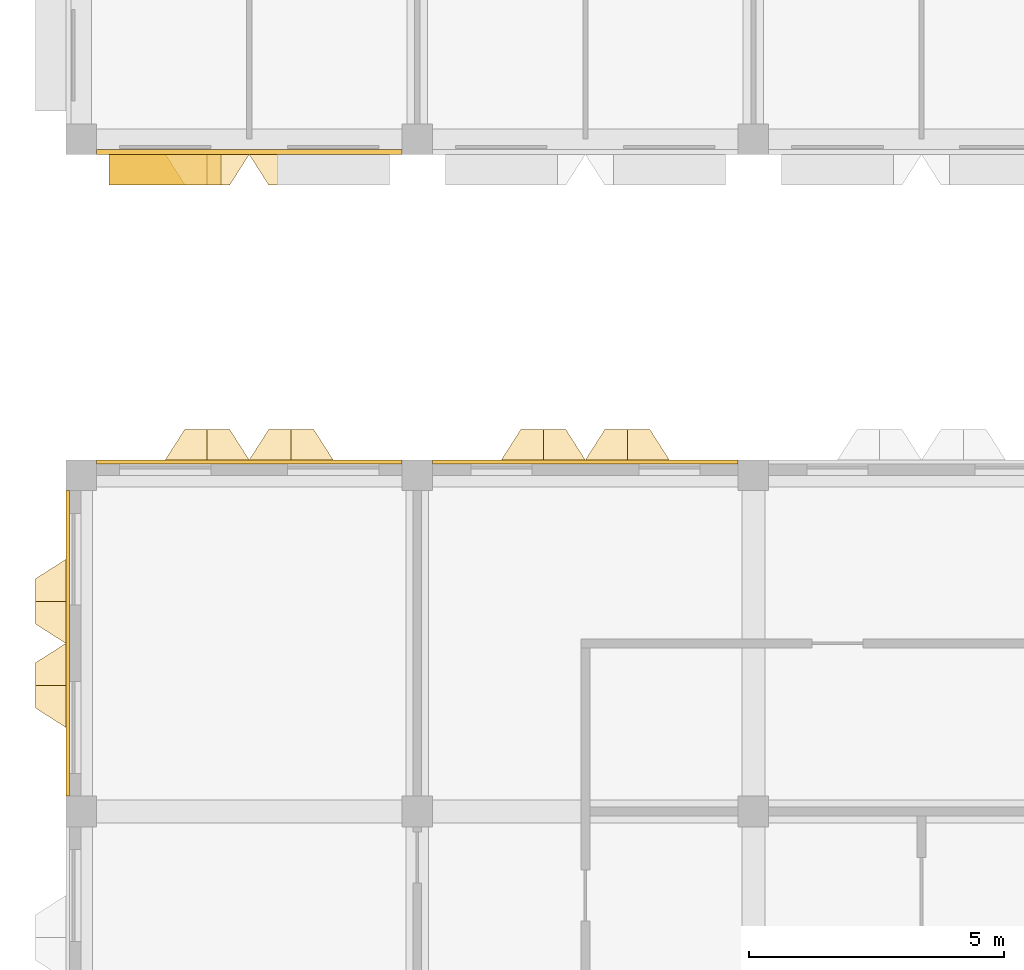
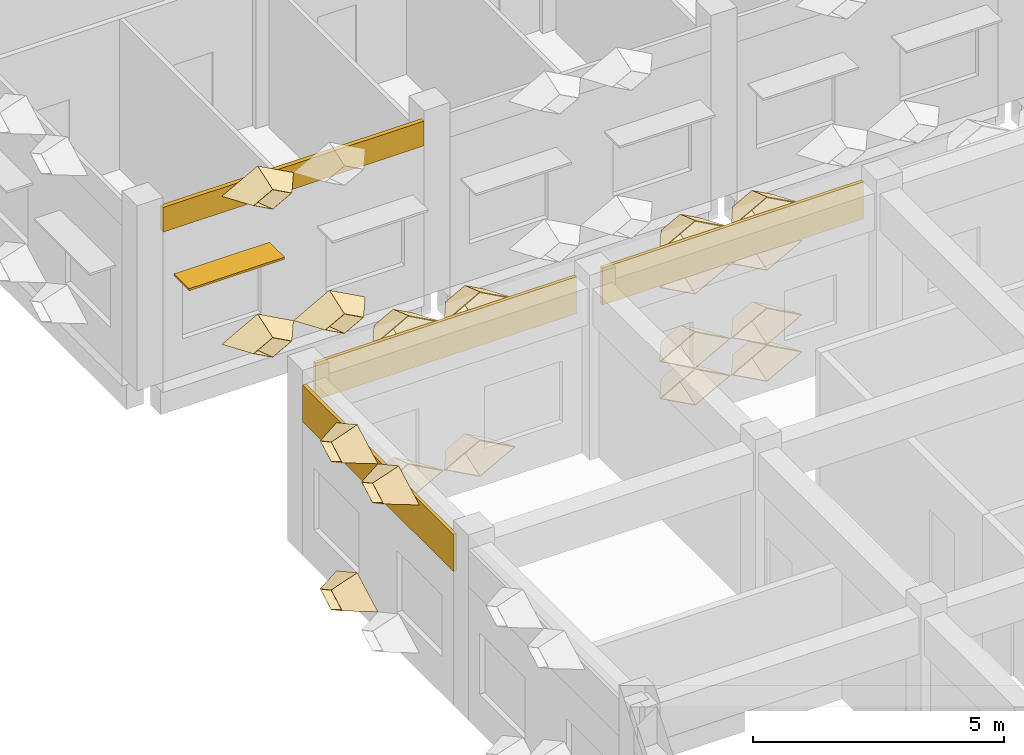
# One storey, part 68 of 87: 22 coverings, 1 shading device.
"""IFC4 building model written with IfcOpenShell, lengths in metres."""

from ifc_helpers import new_model, entity, si_unit, direction, frame, frame_2d, origin, origin_2d, place, context, subcontext, project, spatial, rectangle, extrude, material, layer, layer_set, type_object, element, save


model = new_model("IFC4")

# Units and contexts
model_context = context("Model", 3, precision=1e-05, world=origin(), true_north=direction((0.0, 1.0)))
body_context = subcontext(model_context, "Body", "Model", "MODEL_VIEW")
ifc_project = project(units=[si_unit("LENGTHUNIT", "METRE"), si_unit("AREAUNIT", "SQUARE_METRE"), si_unit("VOLUMEUNIT", "CUBIC_METRE"), si_unit("PLANEANGLEUNIT", "RADIAN"), si_unit("MASSUNIT", "GRAM", prefix="KILO")], contexts=[model_context])

# Site, building, storey
site_placement = place(None, origin())
site = spatial("IfcSite", under=ifc_project, at=site_placement, CompositionType="ELEMENT")
building_placement = place(site_placement, origin())
building = spatial("IfcBuilding", under=site, at=building_placement, Name="Lantern Court Research Institute", CompositionType="ELEMENT")
storey_placement = place(building_placement, frame((0.0, 0.0, 5.39990234375)))
storey = spatial("IfcBuildingStorey", under=building, at=storey_placement, Name="L01", CompositionType="ELEMENT", Elevation=5.39990234375)

# Shading device
ifc_material_1 = material(Name="Aluminium alloy 6063-T6", Category="aluminium")
ifc_layer_1 = layer(ifc_material_1, 0.050048828125)
ifc_layer_set_1 = layer_set([ifc_layer_1], Name="Aluminium alloy 6063-T6")
shading_device_type = type_object("IfcShadingDeviceType", Name="Brise-soleil blade 2200 x 600 x 50 aluminium", PredefinedType="USERDEFINED", material=ifc_layer_set_1)
shading_device_placement = place(storey_placement, frame((1.64990234375, 81.89990234375, 2.5), z_axis=(0.0, 0.0, 1.0), x_axis=(-1.0, 0.0, 0.0)))
element("IfcShadingDevice", 1, at=shading_device_placement, inside=storey, type_object=shading_device_type, Name="Brise-soleil blade L01 S", ObjectType="LOUVRE", PredefinedType="USERDEFINED", context=body_context, shape_type="SweptSolid", body=[
    extrude(rectangle(XDim=2.199951171875, YDim=0.60009765625, at=origin_2d()), origin(), (0.0, 0.0, 1.0), 0.050048828125),
])

# Coverings
ifc_material_2 = material(Name="Aluminium composite panel with mineral wool insulation", Category="aluminium")
ifc_layer_2 = layer(ifc_material_2, 0.10009765625)
ifc_layer_set_2 = layer_set([ifc_layer_2], Name="Aluminium composite panel with mineral wool insulation")
covering_type_1 = type_object("IfcCoveringType", Name="Edge fascia panel 100 aluminium faced", PredefinedType="CLADDING", material=ifc_layer_set_2)
covering_1_placement = place(storey_placement, frame((6.300048828125, 82.25, 3.650146484375), z_axis=(0.0, 0.0, 1.0), x_axis=(-1.0, 0.0, 0.0)))
element("IfcCovering", 2, at=covering_1_placement, inside=storey, type_object=covering_type_1, Name="Edge fascia V6S L01 01", PredefinedType="CLADDING", context=body_context, shape_type="SweptSolid", body=[
    extrude(rectangle(XDim=6.0, YDim=0.10009765625, at=frame_2d((3.0, 0.0))), origin(), (0.0, 0.0, 1.0), 0.599853515625),
])
ifc_material_3 = material(Name="Aluminium composite panel with mineral wool insulation", Category="aluminium")
ifc_layer_3 = layer(ifc_material_3, 0.074951171875)
ifc_layer_set_3 = layer_set([ifc_layer_3], Name="Aluminium composite panel with mineral wool insulation")
covering_type_2 = type_object("IfcCoveringType", Name="Edge fascia panel 75 aluminium faced", PredefinedType="CLADDING", material=ifc_layer_set_3)
for number, where, z_axis, x_axis, name in (
    (3, (0.300048828125, 76.16259765625, 3.25), (0.0, 0.0, 1.0), (1.0, 0.0, 0.0), "Edge fascia V3N L01 01"),
    (4, (6.89990234375, 76.16259765625, 3.25), (0.0, 0.0, 1.0), (1.0, 0.0, 0.0), "Edge fascia V3N L01 02"),
    (5, (-0.262451171875, 69.60009765625, 3.25), (0.0, 0.0, 1.0), (0.0, 1.0, 0.0), "Edge fascia V3W L01 03"),
):
    element("IfcCovering", number, at=place(storey_placement, frame(where, z_axis=z_axis, x_axis=x_axis)), inside=storey, type_object=covering_type_2, Name=name, PredefinedType="CLADDING", context=body_context, shape_type="SweptSolid", body=[
        extrude(rectangle(XDim=6.0, YDim=0.074951171875, at=frame_2d((3.0, 0.0))), origin(), (0.0, 0.0, 1.0), 0.900146484375),
    ])
ifc_material_4 = material(Name="Anodised aluminium", Category="aluminium")
ifc_layer_4 = layer(ifc_material_4, 0.01611328125)
ifc_layer_set_4 = layer_set([ifc_layer_4], Name="Anodised aluminium")
covering_type_3 = type_object("IfcCoveringType", Name="Fin cassette 1650 x 900 x 600 aluminium", PredefinedType="CLADDING", material=ifc_layer_set_4)
covering_2_placement = place(storey_placement, frame((2.47509765625, 76.199951171875, 0.4501953125), z_axis=(0.0, 1.0, 0.0), x_axis=(-1.0, 0.0, 0.0)))
cartesian_point_1 = entity("IfcCartesianPoint", [0.824951171875, 0.0])
cartesian_point_2 = entity("IfcCartesianPoint", [0.79150390625, 0.0])
cartesian_point_3 = entity("IfcCartesianPoint", [0.44189453125, 0.0])
cartesian_point_4 = entity("IfcCartesianPoint", [0.43359375, 0.0])
element("IfcCovering", 6, at=covering_2_placement, inside=storey, type_object=covering_type_3, Name="Fin cassette V3N-L01 1.2", PredefinedType="CLADDING", context=body_context, shape_type="SweptSolid", body=[
    entity("IfcExtrudedAreaSolidTapered", entity("IfcArbitraryProfileDefWithVoids", "AREA", None, entity("IfcPolyline", [cartesian_point_1, entity("IfcCartesianPoint", [0.0, 0.449951171875]), entity("IfcCartesianPoint", [-0.824951171875, 0.0]), entity("IfcCartesianPoint", [0.0, -0.449951171875]), cartesian_point_1]), [entity("IfcPolyline", [cartesian_point_2, entity("IfcCartesianPoint", [0.0, 0.431884765625]), entity("IfcCartesianPoint", [-0.79150390625, 0.0]), entity("IfcCartesianPoint", [0.0, -0.431884765625]), cartesian_point_2])]), entity("IfcAxis2Placement3D", entity("IfcCartesianPoint", [0.0, 0.0, 0.0])), entity("IfcDirection", [0.0, 0.0, 1.0]), 0.60009765625, entity("IfcArbitraryProfileDefWithVoids", "AREA", None, entity("IfcPolyline", [cartesian_point_3, entity("IfcCartesianPoint", [0.0, 0.240966796875]), entity("IfcCartesianPoint", [-0.44189453125, 0.0]), entity("IfcCartesianPoint", [0.0, -0.240966796875]), cartesian_point_3]), [entity("IfcPolyline", [cartesian_point_4, entity("IfcCartesianPoint", [0.0, 0.236572265625]), entity("IfcCartesianPoint", [-0.43359375, 0.0]), entity("IfcCartesianPoint", [0.0, -0.236572265625]), cartesian_point_4])])),
])
covering_3_placement = place(storey_placement, frame((4.125, 76.199951171875, 0.4501953125), z_axis=(0.0, 1.0, 0.0), x_axis=(-1.0, 0.0, 0.0)))
cartesian_point_5 = entity("IfcCartesianPoint", [0.824951171875, 0.0])
cartesian_point_6 = entity("IfcCartesianPoint", [0.79150390625, 0.0])
cartesian_point_7 = entity("IfcCartesianPoint", [0.44189453125, 0.0])
cartesian_point_8 = entity("IfcCartesianPoint", [0.43359375, 0.0])
element("IfcCovering", 7, at=covering_3_placement, inside=storey, type_object=covering_type_3, Name="Fin cassette V3N-L01 1.3", PredefinedType="CLADDING", context=body_context, shape_type="SweptSolid", body=[
    entity("IfcExtrudedAreaSolidTapered", entity("IfcArbitraryProfileDefWithVoids", "AREA", None, entity("IfcPolyline", [cartesian_point_5, entity("IfcCartesianPoint", [0.0, 0.449951171875]), entity("IfcCartesianPoint", [-0.824951171875, 0.0]), entity("IfcCartesianPoint", [0.0, -0.449951171875]), cartesian_point_5]), [entity("IfcPolyline", [cartesian_point_6, entity("IfcCartesianPoint", [0.0, 0.431884765625]), entity("IfcCartesianPoint", [-0.79150390625, 0.0]), entity("IfcCartesianPoint", [0.0, -0.431884765625]), cartesian_point_6])]), entity("IfcAxis2Placement3D", entity("IfcCartesianPoint", [0.0, 0.0, 0.0])), entity("IfcDirection", [0.0, 0.0, 1.0]), 0.60009765625, entity("IfcArbitraryProfileDefWithVoids", "AREA", None, entity("IfcPolyline", [cartesian_point_7, entity("IfcCartesianPoint", [0.0, 0.240966796875]), entity("IfcCartesianPoint", [-0.44189453125, 0.0]), entity("IfcCartesianPoint", [0.0, -0.240966796875]), cartesian_point_7]), [entity("IfcPolyline", [cartesian_point_8, entity("IfcCartesianPoint", [0.0, 0.236572265625]), entity("IfcCartesianPoint", [-0.43359375, 0.0]), entity("IfcCartesianPoint", [0.0, -0.236572265625]), cartesian_point_8])])),
])
covering_4_placement = place(storey_placement, frame((9.074951171875, 76.199951171875, 0.4501953125), z_axis=(0.0, 1.0, 0.0), x_axis=(-1.0, 0.0, 0.0)))
cartesian_point_9 = entity("IfcCartesianPoint", [0.824951171875, 0.0])
cartesian_point_10 = entity("IfcCartesianPoint", [0.79150390625, 0.0])
cartesian_point_11 = entity("IfcCartesianPoint", [0.44189453125, 0.0])
cartesian_point_12 = entity("IfcCartesianPoint", [0.43359375, 0.0])
element("IfcCovering", 8, at=covering_4_placement, inside=storey, type_object=covering_type_3, Name="Fin cassette V3N-L01 1.6", PredefinedType="CLADDING", context=body_context, shape_type="SweptSolid", body=[
    entity("IfcExtrudedAreaSolidTapered", entity("IfcArbitraryProfileDefWithVoids", "AREA", None, entity("IfcPolyline", [cartesian_point_9, entity("IfcCartesianPoint", [0.0, 0.449951171875]), entity("IfcCartesianPoint", [-0.824951171875, 0.0]), entity("IfcCartesianPoint", [0.0, -0.449951171875]), cartesian_point_9]), [entity("IfcPolyline", [cartesian_point_10, entity("IfcCartesianPoint", [0.0, 0.431884765625]), entity("IfcCartesianPoint", [-0.79150390625, 0.0]), entity("IfcCartesianPoint", [0.0, -0.431884765625]), cartesian_point_10])]), entity("IfcAxis2Placement3D", entity("IfcCartesianPoint", [0.0, 0.0, 0.0])), entity("IfcDirection", [0.0, 0.0, 1.0]), 0.60009765625, entity("IfcArbitraryProfileDefWithVoids", "AREA", None, entity("IfcPolyline", [cartesian_point_11, entity("IfcCartesianPoint", [0.0, 0.240966796875]), entity("IfcCartesianPoint", [-0.44189453125, 0.0]), entity("IfcCartesianPoint", [0.0, -0.240966796875]), cartesian_point_11]), [entity("IfcPolyline", [cartesian_point_12, entity("IfcCartesianPoint", [0.0, 0.236572265625]), entity("IfcCartesianPoint", [-0.43359375, 0.0]), entity("IfcCartesianPoint", [0.0, -0.236572265625]), cartesian_point_12])])),
])
covering_5_placement = place(storey_placement, frame((10.72509765625, 76.199951171875, 0.4501953125), z_axis=(0.0, 1.0, 0.0), x_axis=(-1.0, 0.0, 0.0)))
cartesian_point_13 = entity("IfcCartesianPoint", [0.824951171875, 0.0])
cartesian_point_14 = entity("IfcCartesianPoint", [0.79150390625, 0.0])
cartesian_point_15 = entity("IfcCartesianPoint", [0.44189453125, 0.0])
cartesian_point_16 = entity("IfcCartesianPoint", [0.43359375, 0.0])
element("IfcCovering", 9, at=covering_5_placement, inside=storey, type_object=covering_type_3, Name="Fin cassette V3N-L01 1.7", PredefinedType="CLADDING", context=body_context, shape_type="SweptSolid", body=[
    entity("IfcExtrudedAreaSolidTapered", entity("IfcArbitraryProfileDefWithVoids", "AREA", None, entity("IfcPolyline", [cartesian_point_13, entity("IfcCartesianPoint", [0.0, 0.449951171875]), entity("IfcCartesianPoint", [-0.824951171875, 0.0]), entity("IfcCartesianPoint", [0.0, -0.449951171875]), cartesian_point_13]), [entity("IfcPolyline", [cartesian_point_14, entity("IfcCartesianPoint", [0.0, 0.431884765625]), entity("IfcCartesianPoint", [-0.79150390625, 0.0]), entity("IfcCartesianPoint", [0.0, -0.431884765625]), cartesian_point_14])]), entity("IfcAxis2Placement3D", entity("IfcCartesianPoint", [0.0, 0.0, 0.0])), entity("IfcDirection", [0.0, 0.0, 1.0]), 0.60009765625, entity("IfcArbitraryProfileDefWithVoids", "AREA", None, entity("IfcPolyline", [cartesian_point_15, entity("IfcCartesianPoint", [0.0, 0.240966796875]), entity("IfcCartesianPoint", [-0.44189453125, 0.0]), entity("IfcCartesianPoint", [0.0, -0.240966796875]), cartesian_point_15]), [entity("IfcPolyline", [cartesian_point_16, entity("IfcCartesianPoint", [0.0, 0.236572265625]), entity("IfcCartesianPoint", [-0.43359375, 0.0]), entity("IfcCartesianPoint", [0.0, -0.236572265625]), cartesian_point_16])])),
])
covering_6_placement = place(storey_placement, frame((9.074951171875, 76.199951171875, 1.35009765625), z_axis=(0.0, 1.0, 0.0), x_axis=(-1.0, 0.0, 0.0)))
cartesian_point_17 = entity("IfcCartesianPoint", [0.824951171875, 0.0])
cartesian_point_18 = entity("IfcCartesianPoint", [0.79150390625, 0.0])
cartesian_point_19 = entity("IfcCartesianPoint", [0.44189453125, 0.0])
cartesian_point_20 = entity("IfcCartesianPoint", [0.43359375, 0.0])
element("IfcCovering", 10, at=covering_6_placement, inside=storey, type_object=covering_type_3, Name="Fin cassette V3N-L01 2.6", PredefinedType="CLADDING", context=body_context, shape_type="SweptSolid", body=[
    entity("IfcExtrudedAreaSolidTapered", entity("IfcArbitraryProfileDefWithVoids", "AREA", None, entity("IfcPolyline", [cartesian_point_17, entity("IfcCartesianPoint", [0.0, 0.449951171875]), entity("IfcCartesianPoint", [-0.824951171875, 0.0]), entity("IfcCartesianPoint", [0.0, -0.449951171875]), cartesian_point_17]), [entity("IfcPolyline", [cartesian_point_18, entity("IfcCartesianPoint", [0.0, 0.431884765625]), entity("IfcCartesianPoint", [-0.79150390625, 0.0]), entity("IfcCartesianPoint", [0.0, -0.431884765625]), cartesian_point_18])]), entity("IfcAxis2Placement3D", entity("IfcCartesianPoint", [0.0, 0.0, 0.0])), entity("IfcDirection", [0.0, 0.0, 1.0]), 0.60009765625, entity("IfcArbitraryProfileDefWithVoids", "AREA", None, entity("IfcPolyline", [cartesian_point_19, entity("IfcCartesianPoint", [0.0, 0.240966796875]), entity("IfcCartesianPoint", [-0.44189453125, 0.0]), entity("IfcCartesianPoint", [0.0, -0.240966796875]), cartesian_point_19]), [entity("IfcPolyline", [cartesian_point_20, entity("IfcCartesianPoint", [0.0, 0.236572265625]), entity("IfcCartesianPoint", [-0.43359375, 0.0]), entity("IfcCartesianPoint", [0.0, -0.236572265625]), cartesian_point_20])])),
])
covering_7_placement = place(storey_placement, frame((10.72509765625, 76.199951171875, 1.35009765625), z_axis=(0.0, 1.0, 0.0), x_axis=(-1.0, 0.0, 0.0)))
cartesian_point_21 = entity("IfcCartesianPoint", [0.824951171875, 0.0])
cartesian_point_22 = entity("IfcCartesianPoint", [0.79150390625, 0.0])
cartesian_point_23 = entity("IfcCartesianPoint", [0.44189453125, 0.0])
cartesian_point_24 = entity("IfcCartesianPoint", [0.43359375, 0.0])
element("IfcCovering", 11, at=covering_7_placement, inside=storey, type_object=covering_type_3, Name="Fin cassette V3N-L01 2.7", PredefinedType="CLADDING", context=body_context, shape_type="SweptSolid", body=[
    entity("IfcExtrudedAreaSolidTapered", entity("IfcArbitraryProfileDefWithVoids", "AREA", None, entity("IfcPolyline", [cartesian_point_21, entity("IfcCartesianPoint", [0.0, 0.449951171875]), entity("IfcCartesianPoint", [-0.824951171875, 0.0]), entity("IfcCartesianPoint", [0.0, -0.449951171875]), cartesian_point_21]), [entity("IfcPolyline", [cartesian_point_22, entity("IfcCartesianPoint", [0.0, 0.431884765625]), entity("IfcCartesianPoint", [-0.79150390625, 0.0]), entity("IfcCartesianPoint", [0.0, -0.431884765625]), cartesian_point_22])]), entity("IfcAxis2Placement3D", entity("IfcCartesianPoint", [0.0, 0.0, 0.0])), entity("IfcDirection", [0.0, 0.0, 1.0]), 0.60009765625, entity("IfcArbitraryProfileDefWithVoids", "AREA", None, entity("IfcPolyline", [cartesian_point_23, entity("IfcCartesianPoint", [0.0, 0.240966796875]), entity("IfcCartesianPoint", [-0.44189453125, 0.0]), entity("IfcCartesianPoint", [0.0, -0.240966796875]), cartesian_point_23]), [entity("IfcPolyline", [cartesian_point_24, entity("IfcCartesianPoint", [0.0, 0.236572265625]), entity("IfcCartesianPoint", [-0.43359375, 0.0]), entity("IfcCartesianPoint", [0.0, -0.236572265625]), cartesian_point_24])])),
])
covering_8_placement = place(storey_placement, frame((9.074951171875, 76.199951171875, 3.150146484375), z_axis=(0.0, 1.0, 0.0), x_axis=(-1.0, 0.0, 0.0)))
cartesian_point_25 = entity("IfcCartesianPoint", [0.824951171875, 0.0])
cartesian_point_26 = entity("IfcCartesianPoint", [0.79150390625, 0.0])
cartesian_point_27 = entity("IfcCartesianPoint", [0.44189453125, 0.0])
cartesian_point_28 = entity("IfcCartesianPoint", [0.43359375, 0.0])
element("IfcCovering", 12, at=covering_8_placement, inside=storey, type_object=covering_type_3, Name="Fin cassette V3N-L01 4.6", PredefinedType="CLADDING", context=body_context, shape_type="SweptSolid", body=[
    entity("IfcExtrudedAreaSolidTapered", entity("IfcArbitraryProfileDefWithVoids", "AREA", None, entity("IfcPolyline", [cartesian_point_25, entity("IfcCartesianPoint", [0.0, 0.449951171875]), entity("IfcCartesianPoint", [-0.824951171875, 0.0]), entity("IfcCartesianPoint", [0.0, -0.449951171875]), cartesian_point_25]), [entity("IfcPolyline", [cartesian_point_26, entity("IfcCartesianPoint", [0.0, 0.431884765625]), entity("IfcCartesianPoint", [-0.79150390625, 0.0]), entity("IfcCartesianPoint", [0.0, -0.431884765625]), cartesian_point_26])]), entity("IfcAxis2Placement3D", entity("IfcCartesianPoint", [0.0, 0.0, 0.0])), entity("IfcDirection", [0.0, 0.0, 1.0]), 0.60009765625, entity("IfcArbitraryProfileDefWithVoids", "AREA", None, entity("IfcPolyline", [cartesian_point_27, entity("IfcCartesianPoint", [0.0, 0.240966796875]), entity("IfcCartesianPoint", [-0.44189453125, 0.0]), entity("IfcCartesianPoint", [0.0, -0.240966796875]), cartesian_point_27]), [entity("IfcPolyline", [cartesian_point_28, entity("IfcCartesianPoint", [0.0, 0.236572265625]), entity("IfcCartesianPoint", [-0.43359375, 0.0]), entity("IfcCartesianPoint", [0.0, -0.236572265625]), cartesian_point_28])])),
])
covering_9_placement = place(storey_placement, frame((10.72509765625, 76.199951171875, 3.150146484375), z_axis=(0.0, 1.0, 0.0), x_axis=(-1.0, 0.0, 0.0)))
cartesian_point_29 = entity("IfcCartesianPoint", [0.824951171875, 0.0])
cartesian_point_30 = entity("IfcCartesianPoint", [0.79150390625, 0.0])
cartesian_point_31 = entity("IfcCartesianPoint", [0.44189453125, 0.0])
cartesian_point_32 = entity("IfcCartesianPoint", [0.43359375, 0.0])
element("IfcCovering", 13, at=covering_9_placement, inside=storey, type_object=covering_type_3, Name="Fin cassette V3N-L01 4.7", PredefinedType="CLADDING", context=body_context, shape_type="SweptSolid", body=[
    entity("IfcExtrudedAreaSolidTapered", entity("IfcArbitraryProfileDefWithVoids", "AREA", None, entity("IfcPolyline", [cartesian_point_29, entity("IfcCartesianPoint", [0.0, 0.449951171875]), entity("IfcCartesianPoint", [-0.824951171875, 0.0]), entity("IfcCartesianPoint", [0.0, -0.449951171875]), cartesian_point_29]), [entity("IfcPolyline", [cartesian_point_30, entity("IfcCartesianPoint", [0.0, 0.431884765625]), entity("IfcCartesianPoint", [-0.79150390625, 0.0]), entity("IfcCartesianPoint", [0.0, -0.431884765625]), cartesian_point_30])]), entity("IfcAxis2Placement3D", entity("IfcCartesianPoint", [0.0, 0.0, 0.0])), entity("IfcDirection", [0.0, 0.0, 1.0]), 0.60009765625, entity("IfcArbitraryProfileDefWithVoids", "AREA", None, entity("IfcPolyline", [cartesian_point_31, entity("IfcCartesianPoint", [0.0, 0.240966796875]), entity("IfcCartesianPoint", [-0.44189453125, 0.0]), entity("IfcCartesianPoint", [0.0, -0.240966796875]), cartesian_point_31]), [entity("IfcPolyline", [cartesian_point_32, entity("IfcCartesianPoint", [0.0, 0.236572265625]), entity("IfcCartesianPoint", [-0.43359375, 0.0]), entity("IfcCartesianPoint", [0.0, -0.236572265625]), cartesian_point_32])])),
])
covering_10_placement = place(storey_placement, frame((2.47509765625, 76.199951171875, 4.050048828125), z_axis=(0.0, 1.0, 0.0), x_axis=(-1.0, 0.0, 0.0)))
cartesian_point_33 = entity("IfcCartesianPoint", [0.824951171875, 0.0])
cartesian_point_34 = entity("IfcCartesianPoint", [0.79150390625, 0.0])
cartesian_point_35 = entity("IfcCartesianPoint", [0.44189453125, 0.0])
cartesian_point_36 = entity("IfcCartesianPoint", [0.43359375, 0.0])
element("IfcCovering", 14, at=covering_10_placement, inside=storey, type_object=covering_type_3, Name="Fin cassette V3N-L01 5.2", PredefinedType="CLADDING", context=body_context, shape_type="SweptSolid", body=[
    entity("IfcExtrudedAreaSolidTapered", entity("IfcArbitraryProfileDefWithVoids", "AREA", None, entity("IfcPolyline", [cartesian_point_33, entity("IfcCartesianPoint", [0.0, 0.449951171875]), entity("IfcCartesianPoint", [-0.824951171875, 0.0]), entity("IfcCartesianPoint", [0.0, -0.449951171875]), cartesian_point_33]), [entity("IfcPolyline", [cartesian_point_34, entity("IfcCartesianPoint", [0.0, 0.431884765625]), entity("IfcCartesianPoint", [-0.79150390625, 0.0]), entity("IfcCartesianPoint", [0.0, -0.431884765625]), cartesian_point_34])]), entity("IfcAxis2Placement3D", entity("IfcCartesianPoint", [0.0, 0.0, 0.0])), entity("IfcDirection", [0.0, 0.0, 1.0]), 0.60009765625, entity("IfcArbitraryProfileDefWithVoids", "AREA", None, entity("IfcPolyline", [cartesian_point_35, entity("IfcCartesianPoint", [0.0, 0.240966796875]), entity("IfcCartesianPoint", [-0.44189453125, 0.0]), entity("IfcCartesianPoint", [0.0, -0.240966796875]), cartesian_point_35]), [entity("IfcPolyline", [cartesian_point_36, entity("IfcCartesianPoint", [0.0, 0.236572265625]), entity("IfcCartesianPoint", [-0.43359375, 0.0]), entity("IfcCartesianPoint", [0.0, -0.236572265625]), cartesian_point_36])])),
])
covering_11_placement = place(storey_placement, frame((4.125, 76.199951171875, 4.050048828125), z_axis=(0.0, 1.0, 0.0), x_axis=(-1.0, 0.0, 0.0)))
cartesian_point_37 = entity("IfcCartesianPoint", [0.824951171875, 0.0])
cartesian_point_38 = entity("IfcCartesianPoint", [0.79150390625, 0.0])
cartesian_point_39 = entity("IfcCartesianPoint", [0.44189453125, 0.0])
cartesian_point_40 = entity("IfcCartesianPoint", [0.43359375, 0.0])
element("IfcCovering", 15, at=covering_11_placement, inside=storey, type_object=covering_type_3, Name="Fin cassette V3N-L01 5.3", PredefinedType="CLADDING", context=body_context, shape_type="SweptSolid", body=[
    entity("IfcExtrudedAreaSolidTapered", entity("IfcArbitraryProfileDefWithVoids", "AREA", None, entity("IfcPolyline", [cartesian_point_37, entity("IfcCartesianPoint", [0.0, 0.449951171875]), entity("IfcCartesianPoint", [-0.824951171875, 0.0]), entity("IfcCartesianPoint", [0.0, -0.449951171875]), cartesian_point_37]), [entity("IfcPolyline", [cartesian_point_38, entity("IfcCartesianPoint", [0.0, 0.431884765625]), entity("IfcCartesianPoint", [-0.79150390625, 0.0]), entity("IfcCartesianPoint", [0.0, -0.431884765625]), cartesian_point_38])]), entity("IfcAxis2Placement3D", entity("IfcCartesianPoint", [0.0, 0.0, 0.0])), entity("IfcDirection", [0.0, 0.0, 1.0]), 0.60009765625, entity("IfcArbitraryProfileDefWithVoids", "AREA", None, entity("IfcPolyline", [cartesian_point_39, entity("IfcCartesianPoint", [0.0, 0.240966796875]), entity("IfcCartesianPoint", [-0.44189453125, 0.0]), entity("IfcCartesianPoint", [0.0, -0.240966796875]), cartesian_point_39]), [entity("IfcPolyline", [cartesian_point_40, entity("IfcCartesianPoint", [0.0, 0.236572265625]), entity("IfcCartesianPoint", [-0.43359375, 0.0]), entity("IfcCartesianPoint", [0.0, -0.236572265625]), cartesian_point_40])])),
])
covering_12_placement = place(storey_placement, frame((9.074951171875, 76.199951171875, 4.050048828125), z_axis=(0.0, 1.0, 0.0), x_axis=(-1.0, 0.0, 0.0)))
cartesian_point_41 = entity("IfcCartesianPoint", [0.824951171875, 0.0])
cartesian_point_42 = entity("IfcCartesianPoint", [0.79150390625, 0.0])
cartesian_point_43 = entity("IfcCartesianPoint", [0.44189453125, 0.0])
cartesian_point_44 = entity("IfcCartesianPoint", [0.43359375, 0.0])
element("IfcCovering", 16, at=covering_12_placement, inside=storey, type_object=covering_type_3, Name="Fin cassette V3N-L01 5.6", PredefinedType="CLADDING", context=body_context, shape_type="SweptSolid", body=[
    entity("IfcExtrudedAreaSolidTapered", entity("IfcArbitraryProfileDefWithVoids", "AREA", None, entity("IfcPolyline", [cartesian_point_41, entity("IfcCartesianPoint", [0.0, 0.449951171875]), entity("IfcCartesianPoint", [-0.824951171875, 0.0]), entity("IfcCartesianPoint", [0.0, -0.449951171875]), cartesian_point_41]), [entity("IfcPolyline", [cartesian_point_42, entity("IfcCartesianPoint", [0.0, 0.431884765625]), entity("IfcCartesianPoint", [-0.79150390625, 0.0]), entity("IfcCartesianPoint", [0.0, -0.431884765625]), cartesian_point_42])]), entity("IfcAxis2Placement3D", entity("IfcCartesianPoint", [0.0, 0.0, 0.0])), entity("IfcDirection", [0.0, 0.0, 1.0]), 0.60009765625, entity("IfcArbitraryProfileDefWithVoids", "AREA", None, entity("IfcPolyline", [cartesian_point_43, entity("IfcCartesianPoint", [0.0, 0.240966796875]), entity("IfcCartesianPoint", [-0.44189453125, 0.0]), entity("IfcCartesianPoint", [0.0, -0.240966796875]), cartesian_point_43]), [entity("IfcPolyline", [cartesian_point_44, entity("IfcCartesianPoint", [0.0, 0.236572265625]), entity("IfcCartesianPoint", [-0.43359375, 0.0]), entity("IfcCartesianPoint", [0.0, -0.236572265625]), cartesian_point_44])])),
])
covering_13_placement = place(storey_placement, frame((10.72509765625, 76.199951171875, 4.050048828125), z_axis=(0.0, 1.0, 0.0), x_axis=(-1.0, 0.0, 0.0)))
cartesian_point_45 = entity("IfcCartesianPoint", [0.824951171875, 0.0])
cartesian_point_46 = entity("IfcCartesianPoint", [0.79150390625, 0.0])
cartesian_point_47 = entity("IfcCartesianPoint", [0.44189453125, 0.0])
cartesian_point_48 = entity("IfcCartesianPoint", [0.43359375, 0.0])
element("IfcCovering", 17, at=covering_13_placement, inside=storey, type_object=covering_type_3, Name="Fin cassette V3N-L01 5.7", PredefinedType="CLADDING", context=body_context, shape_type="SweptSolid", body=[
    entity("IfcExtrudedAreaSolidTapered", entity("IfcArbitraryProfileDefWithVoids", "AREA", None, entity("IfcPolyline", [cartesian_point_45, entity("IfcCartesianPoint", [0.0, 0.449951171875]), entity("IfcCartesianPoint", [-0.824951171875, 0.0]), entity("IfcCartesianPoint", [0.0, -0.449951171875]), cartesian_point_45]), [entity("IfcPolyline", [cartesian_point_46, entity("IfcCartesianPoint", [0.0, 0.431884765625]), entity("IfcCartesianPoint", [-0.79150390625, 0.0]), entity("IfcCartesianPoint", [0.0, -0.431884765625]), cartesian_point_46])]), entity("IfcAxis2Placement3D", entity("IfcCartesianPoint", [0.0, 0.0, 0.0])), entity("IfcDirection", [0.0, 0.0, 1.0]), 0.60009765625, entity("IfcArbitraryProfileDefWithVoids", "AREA", None, entity("IfcPolyline", [cartesian_point_47, entity("IfcCartesianPoint", [0.0, 0.240966796875]), entity("IfcCartesianPoint", [-0.44189453125, 0.0]), entity("IfcCartesianPoint", [0.0, -0.240966796875]), cartesian_point_47]), [entity("IfcPolyline", [cartesian_point_48, entity("IfcCartesianPoint", [0.0, 0.236572265625]), entity("IfcCartesianPoint", [-0.43359375, 0.0]), entity("IfcCartesianPoint", [0.0, -0.236572265625]), cartesian_point_48])])),
])
covering_14_placement = place(storey_placement, frame((-0.300048828125, 73.425048828125, 0.4501953125), z_axis=(-1.0, 0.0, 0.0), x_axis=(0.0, -1.0, 0.0)))
cartesian_point_49 = entity("IfcCartesianPoint", [0.824951171875, 0.0])
cartesian_point_50 = entity("IfcCartesianPoint", [0.79150390625, 0.0])
cartesian_point_51 = entity("IfcCartesianPoint", [0.44189453125, 0.0])
cartesian_point_52 = entity("IfcCartesianPoint", [0.43359375, 0.0])
element("IfcCovering", 18, at=covering_14_placement, inside=storey, type_object=covering_type_3, Name="Fin cassette V3W-L01 1.45", PredefinedType="CLADDING", context=body_context, shape_type="SweptSolid", body=[
    entity("IfcExtrudedAreaSolidTapered", entity("IfcArbitraryProfileDefWithVoids", "AREA", None, entity("IfcPolyline", [cartesian_point_49, entity("IfcCartesianPoint", [0.0, 0.449951171875]), entity("IfcCartesianPoint", [-0.824951171875, 0.0]), entity("IfcCartesianPoint", [0.0, -0.449951171875]), cartesian_point_49]), [entity("IfcPolyline", [cartesian_point_50, entity("IfcCartesianPoint", [0.0, 0.431884765625]), entity("IfcCartesianPoint", [-0.79150390625, 0.0]), entity("IfcCartesianPoint", [0.0, -0.431884765625]), cartesian_point_50])]), entity("IfcAxis2Placement3D", entity("IfcCartesianPoint", [0.0, 0.0, 0.0])), entity("IfcDirection", [0.0, 0.0, 1.0]), 0.60009765625, entity("IfcArbitraryProfileDefWithVoids", "AREA", None, entity("IfcPolyline", [cartesian_point_51, entity("IfcCartesianPoint", [0.0, 0.240966796875]), entity("IfcCartesianPoint", [-0.44189453125, 0.0]), entity("IfcCartesianPoint", [0.0, -0.240966796875]), cartesian_point_51]), [entity("IfcPolyline", [cartesian_point_52, entity("IfcCartesianPoint", [0.0, 0.236572265625]), entity("IfcCartesianPoint", [-0.43359375, 0.0]), entity("IfcCartesianPoint", [0.0, -0.236572265625]), cartesian_point_52])])),
])
covering_15_placement = place(storey_placement, frame((-0.300048828125, 71.77490234375, 4.050048828125), z_axis=(-1.0, 0.0, 0.0), x_axis=(0.0, -1.0, 0.0)))
cartesian_point_53 = entity("IfcCartesianPoint", [0.824951171875, 0.0])
cartesian_point_54 = entity("IfcCartesianPoint", [0.79150390625, 0.0])
cartesian_point_55 = entity("IfcCartesianPoint", [0.44189453125, 0.0])
cartesian_point_56 = entity("IfcCartesianPoint", [0.43359375, 0.0])
element("IfcCovering", 19, at=covering_15_placement, inside=storey, type_object=covering_type_3, Name="Fin cassette V3W-L01 5.44", PredefinedType="CLADDING", context=body_context, shape_type="SweptSolid", body=[
    entity("IfcExtrudedAreaSolidTapered", entity("IfcArbitraryProfileDefWithVoids", "AREA", None, entity("IfcPolyline", [cartesian_point_53, entity("IfcCartesianPoint", [0.0, 0.449951171875]), entity("IfcCartesianPoint", [-0.824951171875, 0.0]), entity("IfcCartesianPoint", [0.0, -0.449951171875]), cartesian_point_53]), [entity("IfcPolyline", [cartesian_point_54, entity("IfcCartesianPoint", [0.0, 0.431884765625]), entity("IfcCartesianPoint", [-0.79150390625, 0.0]), entity("IfcCartesianPoint", [0.0, -0.431884765625]), cartesian_point_54])]), entity("IfcAxis2Placement3D", entity("IfcCartesianPoint", [0.0, 0.0, 0.0])), entity("IfcDirection", [0.0, 0.0, 1.0]), 0.60009765625, entity("IfcArbitraryProfileDefWithVoids", "AREA", None, entity("IfcPolyline", [cartesian_point_55, entity("IfcCartesianPoint", [0.0, 0.240966796875]), entity("IfcCartesianPoint", [-0.44189453125, 0.0]), entity("IfcCartesianPoint", [0.0, -0.240966796875]), cartesian_point_55]), [entity("IfcPolyline", [cartesian_point_56, entity("IfcCartesianPoint", [0.0, 0.236572265625]), entity("IfcCartesianPoint", [-0.43359375, 0.0]), entity("IfcCartesianPoint", [0.0, -0.236572265625]), cartesian_point_56])])),
])
covering_16_placement = place(storey_placement, frame((-0.300048828125, 73.425048828125, 4.050048828125), z_axis=(-1.0, 0.0, 0.0), x_axis=(0.0, -1.0, 0.0)))
cartesian_point_57 = entity("IfcCartesianPoint", [0.824951171875, 0.0])
cartesian_point_58 = entity("IfcCartesianPoint", [0.79150390625, 0.0])
cartesian_point_59 = entity("IfcCartesianPoint", [0.44189453125, 0.0])
cartesian_point_60 = entity("IfcCartesianPoint", [0.43359375, 0.0])
element("IfcCovering", 20, at=covering_16_placement, inside=storey, type_object=covering_type_3, Name="Fin cassette V3W-L01 5.45", PredefinedType="CLADDING", context=body_context, shape_type="SweptSolid", body=[
    entity("IfcExtrudedAreaSolidTapered", entity("IfcArbitraryProfileDefWithVoids", "AREA", None, entity("IfcPolyline", [cartesian_point_57, entity("IfcCartesianPoint", [0.0, 0.449951171875]), entity("IfcCartesianPoint", [-0.824951171875, 0.0]), entity("IfcCartesianPoint", [0.0, -0.449951171875]), cartesian_point_57]), [entity("IfcPolyline", [cartesian_point_58, entity("IfcCartesianPoint", [0.0, 0.431884765625]), entity("IfcCartesianPoint", [-0.79150390625, 0.0]), entity("IfcCartesianPoint", [0.0, -0.431884765625]), cartesian_point_58])]), entity("IfcAxis2Placement3D", entity("IfcCartesianPoint", [0.0, 0.0, 0.0])), entity("IfcDirection", [0.0, 0.0, 1.0]), 0.60009765625, entity("IfcArbitraryProfileDefWithVoids", "AREA", None, entity("IfcPolyline", [cartesian_point_59, entity("IfcCartesianPoint", [0.0, 0.240966796875]), entity("IfcCartesianPoint", [-0.44189453125, 0.0]), entity("IfcCartesianPoint", [0.0, -0.240966796875]), cartesian_point_59]), [entity("IfcPolyline", [cartesian_point_60, entity("IfcCartesianPoint", [0.0, 0.236572265625]), entity("IfcCartesianPoint", [-0.43359375, 0.0]), entity("IfcCartesianPoint", [0.0, -0.236572265625]), cartesian_point_60])])),
])
covering_17_placement = place(storey_placement, frame((2.47509765625, 82.199951171875, 0.4501953125), z_axis=(0.0, -1.0, 0.0), x_axis=(1.0, 0.0, 0.0)))
cartesian_point_61 = entity("IfcCartesianPoint", [0.824951171875, 0.0])
cartesian_point_62 = entity("IfcCartesianPoint", [0.79150390625, 0.0])
cartesian_point_63 = entity("IfcCartesianPoint", [0.44189453125, 0.0])
cartesian_point_64 = entity("IfcCartesianPoint", [0.43359375, 0.0])
element("IfcCovering", 21, at=covering_17_placement, inside=storey, type_object=covering_type_3, Name="Fin cassette V6S-L01 1.2", PredefinedType="CLADDING", context=body_context, shape_type="SweptSolid", body=[
    entity("IfcExtrudedAreaSolidTapered", entity("IfcArbitraryProfileDefWithVoids", "AREA", None, entity("IfcPolyline", [cartesian_point_61, entity("IfcCartesianPoint", [0.0, 0.449951171875]), entity("IfcCartesianPoint", [-0.824951171875, 0.0]), entity("IfcCartesianPoint", [0.0, -0.449951171875]), cartesian_point_61]), [entity("IfcPolyline", [cartesian_point_62, entity("IfcCartesianPoint", [0.0, 0.431884765625]), entity("IfcCartesianPoint", [-0.79150390625, 0.0]), entity("IfcCartesianPoint", [0.0, -0.431884765625]), cartesian_point_62])]), entity("IfcAxis2Placement3D", entity("IfcCartesianPoint", [0.0, 0.0, 0.0])), entity("IfcDirection", [0.0, 0.0, 1.0]), 0.60009765625, entity("IfcArbitraryProfileDefWithVoids", "AREA", None, entity("IfcPolyline", [cartesian_point_63, entity("IfcCartesianPoint", [0.0, 0.240966796875]), entity("IfcCartesianPoint", [-0.44189453125, 0.0]), entity("IfcCartesianPoint", [0.0, -0.240966796875]), cartesian_point_63]), [entity("IfcPolyline", [cartesian_point_64, entity("IfcCartesianPoint", [0.0, 0.236572265625]), entity("IfcCartesianPoint", [-0.43359375, 0.0]), entity("IfcCartesianPoint", [0.0, -0.236572265625]), cartesian_point_64])])),
])
covering_18_placement = place(storey_placement, frame((4.125, 82.199951171875, 0.4501953125), z_axis=(0.0, -1.0, 0.0), x_axis=(1.0, 0.0, 0.0)))
cartesian_point_65 = entity("IfcCartesianPoint", [0.824951171875, 0.0])
cartesian_point_66 = entity("IfcCartesianPoint", [0.79150390625, 0.0])
cartesian_point_67 = entity("IfcCartesianPoint", [0.44189453125, 0.0])
cartesian_point_68 = entity("IfcCartesianPoint", [0.43359375, 0.0])
element("IfcCovering", 22, at=covering_18_placement, inside=storey, type_object=covering_type_3, Name="Fin cassette V6S-L01 1.3", PredefinedType="CLADDING", context=body_context, shape_type="SweptSolid", body=[
    entity("IfcExtrudedAreaSolidTapered", entity("IfcArbitraryProfileDefWithVoids", "AREA", None, entity("IfcPolyline", [cartesian_point_65, entity("IfcCartesianPoint", [0.0, 0.449951171875]), entity("IfcCartesianPoint", [-0.824951171875, 0.0]), entity("IfcCartesianPoint", [0.0, -0.449951171875]), cartesian_point_65]), [entity("IfcPolyline", [cartesian_point_66, entity("IfcCartesianPoint", [0.0, 0.431884765625]), entity("IfcCartesianPoint", [-0.79150390625, 0.0]), entity("IfcCartesianPoint", [0.0, -0.431884765625]), cartesian_point_66])]), entity("IfcAxis2Placement3D", entity("IfcCartesianPoint", [0.0, 0.0, 0.0])), entity("IfcDirection", [0.0, 0.0, 1.0]), 0.60009765625, entity("IfcArbitraryProfileDefWithVoids", "AREA", None, entity("IfcPolyline", [cartesian_point_67, entity("IfcCartesianPoint", [0.0, 0.240966796875]), entity("IfcCartesianPoint", [-0.44189453125, 0.0]), entity("IfcCartesianPoint", [0.0, -0.240966796875]), cartesian_point_67]), [entity("IfcPolyline", [cartesian_point_68, entity("IfcCartesianPoint", [0.0, 0.236572265625]), entity("IfcCartesianPoint", [-0.43359375, 0.0]), entity("IfcCartesianPoint", [0.0, -0.236572265625]), cartesian_point_68])])),
])
covering_19_placement = place(storey_placement, frame((2.47509765625, 82.199951171875, 4.050048828125), z_axis=(0.0, -1.0, 0.0), x_axis=(1.0, 0.0, 0.0)))
cartesian_point_69 = entity("IfcCartesianPoint", [0.824951171875, 0.0])
cartesian_point_70 = entity("IfcCartesianPoint", [0.79150390625, 0.0])
cartesian_point_71 = entity("IfcCartesianPoint", [0.44189453125, 0.0])
cartesian_point_72 = entity("IfcCartesianPoint", [0.43359375, 0.0])
element("IfcCovering", 23, at=covering_19_placement, inside=storey, type_object=covering_type_3, Name="Fin cassette V6S-L01 5.2", PredefinedType="CLADDING", context=body_context, shape_type="SweptSolid", body=[
    entity("IfcExtrudedAreaSolidTapered", entity("IfcArbitraryProfileDefWithVoids", "AREA", None, entity("IfcPolyline", [cartesian_point_69, entity("IfcCartesianPoint", [0.0, 0.449951171875]), entity("IfcCartesianPoint", [-0.824951171875, 0.0]), entity("IfcCartesianPoint", [0.0, -0.449951171875]), cartesian_point_69]), [entity("IfcPolyline", [cartesian_point_70, entity("IfcCartesianPoint", [0.0, 0.431884765625]), entity("IfcCartesianPoint", [-0.79150390625, 0.0]), entity("IfcCartesianPoint", [0.0, -0.431884765625]), cartesian_point_70])]), entity("IfcAxis2Placement3D", entity("IfcCartesianPoint", [0.0, 0.0, 0.0])), entity("IfcDirection", [0.0, 0.0, 1.0]), 0.60009765625, entity("IfcArbitraryProfileDefWithVoids", "AREA", None, entity("IfcPolyline", [cartesian_point_71, entity("IfcCartesianPoint", [0.0, 0.240966796875]), entity("IfcCartesianPoint", [-0.44189453125, 0.0]), entity("IfcCartesianPoint", [0.0, -0.240966796875]), cartesian_point_71]), [entity("IfcPolyline", [cartesian_point_72, entity("IfcCartesianPoint", [0.0, 0.236572265625]), entity("IfcCartesianPoint", [-0.43359375, 0.0]), entity("IfcCartesianPoint", [0.0, -0.236572265625]), cartesian_point_72])])),
])

save(model, "model.ifc")
